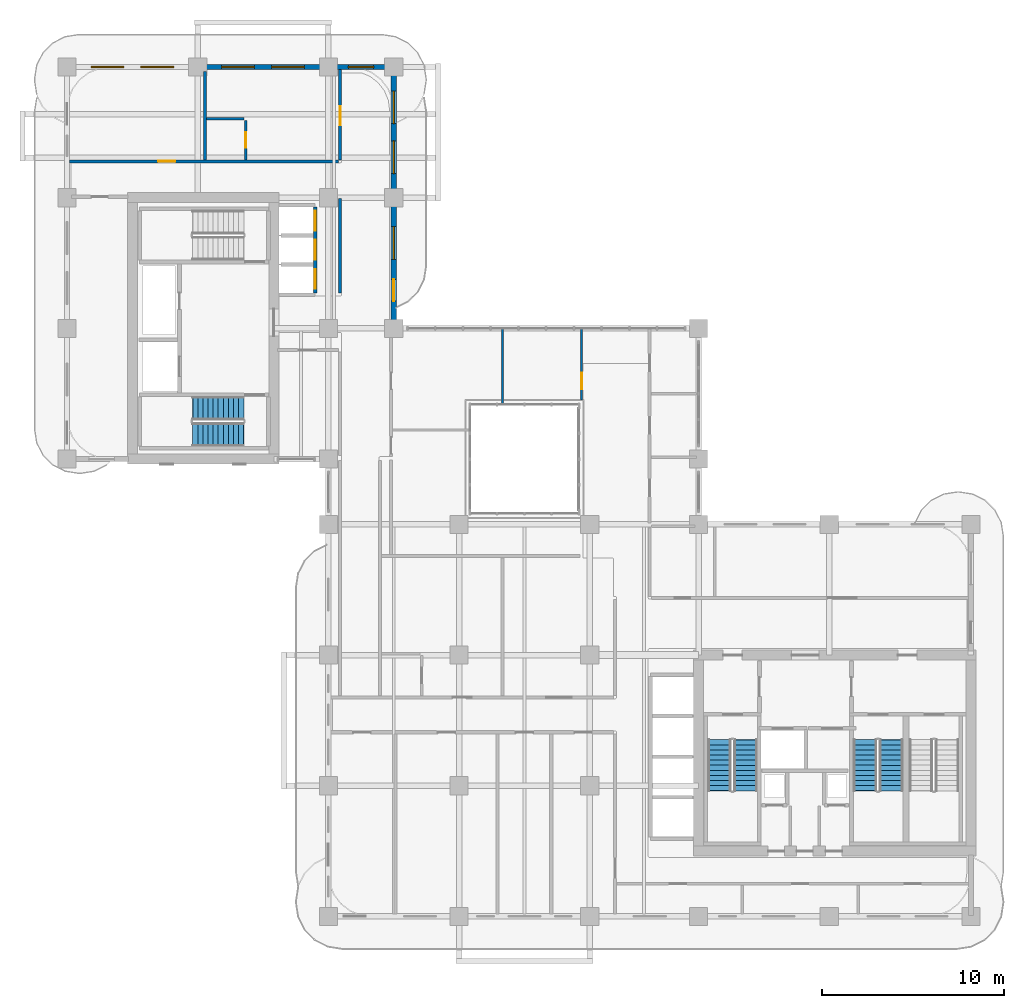
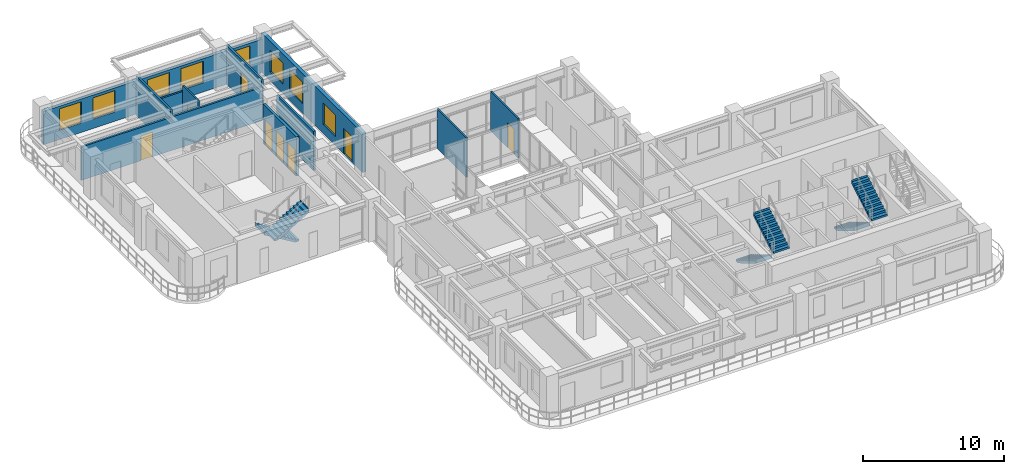
# One storey, part 15 of 21: 11 walls, 8 doors, 8 windows, 6 stair flights, 16 openings, 3 elements without a shape of their own.
"""IFC4 building model written with IfcOpenShell, lengths in metres."""

from ifc_helpers import new_model, si_unit, derived_unit, direction, frame, frame_2d, origin, place, context, subcontext, project, spatial, polyline, rectangle, outline, extrude, source, transform, mapped, material, layer, layer_set, type_object, type_shapes, element, fill, aggregate, save


model = new_model("IFC4")

# Units and contexts
model_context = context("Model", 3, precision=1e-05, world=origin(), true_north=direction((0.0, 1.0)))
body_context = subcontext(model_context, "Body", "Model", "MODEL_VIEW")
ifc_project = project(units=[si_unit("LENGTHUNIT", "METRE"), si_unit("AREAUNIT", "SQUARE_METRE"), si_unit("VOLUMEUNIT", "CUBIC_METRE"), si_unit("PLANEANGLEUNIT", "RADIAN"), si_unit("MASSUNIT", "GRAM", prefix="KILO"), si_unit("THERMODYNAMICTEMPERATUREUNIT", "KELVIN"), si_unit("POWERUNIT", "WATT"), derived_unit("THERMALTRANSMITTANCEUNIT", [(si_unit("POWERUNIT", "WATT"), 1), (si_unit("AREAUNIT", "SQUARE_METRE"), -1), (si_unit("THERMODYNAMICTEMPERATUREUNIT", "KELVIN"), -1)])], contexts=[model_context])

# Site, building, storey
site_placement = place(None, origin())
site = spatial("IfcSite", under=ifc_project, at=site_placement, CompositionType="ELEMENT")
building_placement = place(site_placement, origin())
building = spatial("IfcBuilding", under=site, at=building_placement, Name="Zahravan Archway Hotel and Residences", CompositionType="ELEMENT")
storey_placement = place(building_placement, frame((0.0, 0.0, 141.39990234375)))
storey = spatial("IfcBuildingStorey", under=building, at=storey_placement, Name="L35", CompositionType="ELEMENT", Elevation=141.39990234375)

# Wall, openings, windows
ifc_material_1 = material(Name="Honed Red-Ochre Sandstone & Insulated Block", Category="masonry")
ifc_layer_1 = layer(ifc_material_1, 0.280029296875, Name="Honed Red-Ochre Sandstone & Insulated Block", Category="masonry")
ifc_layer_set_1 = layer_set([ifc_layer_1], Name="Honed Red-Ochre Sandstone & Insulated Block")
wall_type_1 = type_object("IfcWallType", Name="EW-LOG-280", PredefinedType="SOLIDWALL", material=ifc_layer_set_1)
wall_1_placement = place(storey_placement, frame((0.0, 46.800048828125, 0.0), z_axis=(0.0, 0.0, 1.0), x_axis=(1.0, 0.0, 0.0)))
wall_1 = element("IfcWall", 1, at=wall_1_placement, inside=storey, type_object=wall_type_1, Name="L35 Exterior Sandstone Wall WB-N", PredefinedType="SOLIDWALL", context=body_context, shape_type="SweptSolid", body=[
    extrude(rectangle(XDim=18.0, YDim=0.280029296875, at=frame_2d((9.0, 0.0))), origin(), (0.0, 0.0, 1.0), 2.885009765625),
])
opening_1_placement = place(wall_1_placement, frame((1.324951171875, 0.0, 0.800048828125)))
opening_1 = element("IfcOpeningElement", 2, at=opening_1_placement, cuts=wall_1, Name="Opening W-02", PredefinedType="OPENING", context=body_context, shape_type="SweptSolid", body=[
    extrude(rectangle(XDim=1.800048828125, YDim=1.85009765625, at=frame_2d((0.89990234375, 0.925048828125))), frame((0.0, 0.14990234375, 0.0), z_axis=(0.0, -1.0, 0.0), x_axis=(1.0, 0.0, 0.0)), (0.0, 0.0, 1.0), 0.300048828125),
])
opening_2_placement = place(wall_1_placement, frame((4.074951171875, 0.0, 0.800048828125)))
opening_2 = element("IfcOpeningElement", 3, at=opening_2_placement, cuts=wall_1, Name="Opening W-02", PredefinedType="OPENING", context=body_context, shape_type="SweptSolid", body=[
    extrude(rectangle(XDim=1.800048828125, YDim=1.85009765625, at=frame_2d((0.89990234375, 0.925048828125))), frame((0.0, 0.14990234375, 0.0), z_axis=(0.0, -1.0, 0.0), x_axis=(1.0, 0.0, 0.0)), (0.0, 0.0, 1.0), 0.300048828125),
])
opening_3_placement = place(wall_1_placement, frame((8.52490234375, 0.0, 0.800048828125)))
opening_3 = element("IfcOpeningElement", 4, at=opening_3_placement, cuts=wall_1, Name="Opening W-02", PredefinedType="OPENING", context=body_context, shape_type="SweptSolid", body=[
    extrude(rectangle(XDim=1.800048828125, YDim=1.85009765625, at=frame_2d((0.89990234375, 0.925048828125))), frame((0.0, 0.14990234375, 0.0), z_axis=(0.0, -1.0, 0.0), x_axis=(1.0, 0.0, 0.0)), (0.0, 0.0, 1.0), 0.300048828125),
])
opening_4_placement = place(wall_1_placement, frame((11.27490234375, 0.0, 0.800048828125)))
opening_4 = element("IfcOpeningElement", 5, at=opening_4_placement, cuts=wall_1, Name="Opening W-02", PredefinedType="OPENING", context=body_context, shape_type="SweptSolid", body=[
    extrude(rectangle(XDim=1.800048828125, YDim=1.85009765625, at=frame_2d((0.89990234375, 0.925048828125))), frame((0.0, 0.14990234375, 0.0), z_axis=(0.0, -1.0, 0.0), x_axis=(1.0, 0.0, 0.0)), (0.0, 0.0, 1.0), 0.300048828125),
])
opening_5_placement = place(wall_1_placement, frame((15.5, 0.0, 0.800048828125)))
opening_5 = element("IfcOpeningElement", 6, at=opening_5_placement, cuts=wall_1, Name="Opening W-03", PredefinedType="OPENING", context=body_context, shape_type="SweptSolid", body=[
    extrude(rectangle(XDim=1.39990234375, YDim=1.85009765625, at=frame_2d((0.699951171875, 0.925048828125))), frame((0.0, 0.14990234375, 0.0), z_axis=(0.0, -1.0, 0.0), x_axis=(1.0, 0.0, 0.0)), (0.0, 0.0, 1.0), 0.300048828125),
])
ifc_material_2 = material(Name="Bronze-Anodized Thermal-Break Aluminium & Low-E Glass", Category="aluminium")
window_type_1 = type_object("IfcWindowType", Name="WIN-TWR-1400", PartitioningType="SINGLE_PANEL", PredefinedType="WINDOW", material=ifc_material_2)
shared_shape_1 = source(origin(), body_context, "Body", "SweptSolid", [
    extrude(rectangle(XDim=1.39990234375, YDim=1.85009765625, at=frame_2d((0.699951171875, 0.925048828125))), frame((0.0, 0.030029296875, 0.0), z_axis=(0.0, -1.0, 0.0), x_axis=(1.0, 0.0, 0.0)), (0.0, 0.0, 1.0), 0.06005859375),
])
type_shapes(window_type_1, [shared_shape_1])
window_1_placement = place(opening_5_placement, origin())
window_1 = element("IfcWindow", 7, at=window_1_placement, inside=storey, type_object=window_type_1, Name="L35 Loggia Window 30", OverallHeight=1.85009765625, OverallWidth=1.39990234375, PartitioningType="SINGLE_PANEL", PredefinedType="WINDOW", context=body_context, shape_type="MappedRepresentation", body=[
    mapped(shared_shape_1, transform((0.0, 0.0, 0.0), scale=1.0)),
])
fill(opening_5, window_1)
window_type_2 = type_object("IfcWindowType", Name="WIN-TWR-1800", PartitioningType="DOUBLE_PANEL_VERTICAL", PredefinedType="WINDOW", material=ifc_material_2)
shared_shape_2 = source(origin(), body_context, "Body", "SweptSolid", [
    extrude(rectangle(XDim=1.800048828125, YDim=1.85009765625, at=frame_2d((0.89990234375, 0.925048828125))), frame((0.0, 0.030029296875, 0.0), z_axis=(0.0, -1.0, 0.0), x_axis=(1.0, 0.0, 0.0)), (0.0, 0.0, 1.0), 0.06005859375),
])
type_shapes(window_type_2, [shared_shape_2])
window_2_placement = place(opening_1_placement, origin())
window_2 = element("IfcWindow", 8, at=window_2_placement, inside=storey, type_object=window_type_2, Name="L35 Loggia Window 26", OverallHeight=1.85009765625, OverallWidth=1.800048828125, PartitioningType="DOUBLE_PANEL_VERTICAL", PredefinedType="WINDOW", context=body_context, shape_type="MappedRepresentation", body=[
    mapped(shared_shape_2, transform((0.0, 0.0, 0.0), scale=1.0)),
])
fill(opening_1, window_2)
window_3_placement = place(opening_2_placement, origin())
window_3 = element("IfcWindow", 9, at=window_3_placement, inside=storey, type_object=window_type_2, Name="L35 Loggia Window 27", OverallHeight=1.85009765625, OverallWidth=1.800048828125, PartitioningType="DOUBLE_PANEL_VERTICAL", PredefinedType="WINDOW", context=body_context, shape_type="MappedRepresentation", body=[
    mapped(shared_shape_2, transform((0.0, 0.0, 0.0), scale=1.0)),
])
fill(opening_2, window_3)
window_4_placement = place(opening_3_placement, origin())
window_4 = element("IfcWindow", 10, at=window_4_placement, inside=storey, type_object=window_type_2, Name="L35 Loggia Window 28", OverallHeight=1.85009765625, OverallWidth=1.800048828125, PartitioningType="DOUBLE_PANEL_VERTICAL", PredefinedType="WINDOW", context=body_context, shape_type="MappedRepresentation", body=[
    mapped(shared_shape_2, transform((0.0, 0.0, 0.0), scale=1.0)),
])
fill(opening_3, window_4)
window_5_placement = place(opening_4_placement, origin())
window_5 = element("IfcWindow", 11, at=window_5_placement, inside=storey, type_object=window_type_2, Name="L35 Loggia Window 29", OverallHeight=1.85009765625, OverallWidth=1.800048828125, PartitioningType="DOUBLE_PANEL_VERTICAL", PredefinedType="WINDOW", context=body_context, shape_type="MappedRepresentation", body=[
    mapped(shared_shape_2, transform((0.0, 0.0, 0.0), scale=1.0)),
])
fill(opening_4, window_5)

# Wall, openings, door, windows
wall_2_placement = place(storey_placement, frame((18.0, 32.39990234375, 0.0), z_axis=(0.0, 0.0, 1.0), x_axis=(0.0, 1.0, 0.0)))
wall_2 = element("IfcWall", 12, at=wall_2_placement, inside=storey, type_object=wall_type_1, Name="L35 Exterior Sandstone Wall WB-EU", PredefinedType="SOLIDWALL", context=body_context, shape_type="SweptSolid", body=[
    extrude(rectangle(XDim=14.35009765625, YDim=0.280029296875, at=frame_2d((7.175048828125, 0.0))), origin(), (0.0, 0.0, 1.0), 3.400146484375),
])
opening_6_placement = place(wall_2_placement, frame((1.5, 0.0, 0.0)))
opening_6 = element("IfcOpeningElement", 13, at=opening_6_placement, cuts=wall_2, Name="Opening ED-BL1", PredefinedType="OPENING", context=body_context, shape_type="SweptSolid", body=[
    extrude(rectangle(XDim=1.199951171875, YDim=2.199951171875, at=frame_2d((0.60009765625, 1.10009765625))), frame((0.0, 0.14990234375, 0.0), z_axis=(0.0, -1.0, 0.0), x_axis=(1.0, 0.0, 0.0)), (0.0, 0.0, 1.0), 0.300048828125),
])
opening_7_placement = place(wall_2_placement, frame((3.800048828125, 0.0, 0.800048828125)))
opening_7 = element("IfcOpeningElement", 14, at=opening_7_placement, cuts=wall_2, Name="Opening W-02", PredefinedType="OPENING", context=body_context, shape_type="SweptSolid", body=[
    extrude(rectangle(XDim=1.800048828125, YDim=1.85009765625, at=frame_2d((0.89990234375, 0.925048828125))), frame((0.0, 0.14990234375, 0.0), z_axis=(0.0, -1.0, 0.0), x_axis=(1.0, 0.0, 0.0)), (0.0, 0.0, 1.0), 0.300048828125),
])
opening_8_placement = place(wall_2_placement, frame((8.52490234375, 0.0, 0.800048828125)))
opening_8 = element("IfcOpeningElement", 15, at=opening_8_placement, cuts=wall_2, Name="Opening W-02", PredefinedType="OPENING", context=body_context, shape_type="SweptSolid", body=[
    extrude(rectangle(XDim=1.800048828125, YDim=1.85009765625, at=frame_2d((0.89990234375, 0.925048828125))), frame((0.0, 0.14990234375, 0.0), z_axis=(0.0, -1.0, 0.0), x_axis=(1.0, 0.0, 0.0)), (0.0, 0.0, 1.0), 0.300048828125),
])
opening_9_placement = place(wall_2_placement, frame((11.27490234375, 0.0, 0.800048828125)))
opening_9 = element("IfcOpeningElement", 16, at=opening_9_placement, cuts=wall_2, Name="Opening W-02", PredefinedType="OPENING", context=body_context, shape_type="SweptSolid", body=[
    extrude(rectangle(XDim=1.800048828125, YDim=1.85009765625, at=frame_2d((0.89990234375, 0.925048828125))), frame((0.0, 0.14990234375, 0.0), z_axis=(0.0, -1.0, 0.0), x_axis=(1.0, 0.0, 0.0)), (0.0, 0.0, 1.0), 0.300048828125),
])
ifc_material_3 = material(Name="Bronze-Anodized Glazed Aluminium", Category="aluminium")
door_type_1 = type_object("IfcDoorType", Name="ED-BALC-1200", OperationType="SLIDING_TO_LEFT", PredefinedType="DOOR", material=ifc_material_3)
shared_shape_3 = source(origin(), body_context, "Body", "SweptSolid", [
    extrude(rectangle(XDim=1.199951171875, YDim=2.199951171875, at=frame_2d((0.60009765625, 1.10009765625))), frame((0.0, 0.02490234375, 0.0), z_axis=(0.0, -1.0, 0.0), x_axis=(1.0, 0.0, 0.0)), (0.0, 0.0, 1.0), 0.050048828125),
])
type_shapes(door_type_1, [shared_shape_3])
door_1_placement = place(opening_6_placement, origin())
door_1 = element("IfcDoor", 17, at=door_1_placement, inside=storey, type_object=door_type_1, Name="L35 Outdoor Access Sliding Door (SLB-BAL-L35-EB)", OperationType="SLIDING_TO_LEFT", OverallHeight=2.199951171875, OverallWidth=1.199951171875, PredefinedType="DOOR", context=body_context, shape_type="MappedRepresentation", body=[
    mapped(shared_shape_3, transform((0.0, 0.0, 0.0), scale=1.0)),
])
fill(opening_6, door_1)
window_6_placement = place(opening_7_placement, origin())
window_6 = element("IfcWindow", 18, at=window_6_placement, inside=storey, type_object=window_type_2, Name="L35 Loggia Window 31", OverallHeight=1.85009765625, OverallWidth=1.800048828125, PartitioningType="DOUBLE_PANEL_VERTICAL", PredefinedType="WINDOW", context=body_context, shape_type="MappedRepresentation", body=[
    mapped(shared_shape_2, transform((0.0, 0.0, 0.0), scale=1.0)),
])
fill(opening_7, window_6)
window_7_placement = place(opening_8_placement, origin())
window_7 = element("IfcWindow", 19, at=window_7_placement, inside=storey, type_object=window_type_2, Name="L35 Loggia Window 32", OverallHeight=1.85009765625, OverallWidth=1.800048828125, PartitioningType="DOUBLE_PANEL_VERTICAL", PredefinedType="WINDOW", context=body_context, shape_type="MappedRepresentation", body=[
    mapped(shared_shape_2, transform((0.0, 0.0, 0.0), scale=1.0)),
])
fill(opening_8, window_7)
window_8_placement = place(opening_9_placement, origin())
window_8 = element("IfcWindow", 20, at=window_8_placement, inside=storey, type_object=window_type_2, Name="L35 Loggia Window 33", OverallHeight=1.85009765625, OverallWidth=1.800048828125, PartitioningType="DOUBLE_PANEL_VERTICAL", PredefinedType="WINDOW", context=body_context, shape_type="MappedRepresentation", body=[
    mapped(shared_shape_2, transform((0.0, 0.0, 0.0), scale=1.0)),
])
fill(opening_9, window_8)

# Wall
ifc_material_4 = material(Name="Fire-Rated Gypsum & Concrete Block", Category="concrete")
ifc_layer_2 = layer(ifc_material_4, 0.159912109375, Name="Fire-Rated Gypsum & Concrete Block", Category="concrete")
ifc_layer_set_2 = layer_set([ifc_layer_2], Name="Fire-Rated Gypsum & Concrete Block")
wall_type_2 = type_object("IfcWallType", Name="PW-CORR-160", PredefinedType="PARTITIONING", material=ifc_layer_set_2)
wall_3_placement = place(storey_placement, frame((15.050048828125, 34.340087890625, 0.0), z_axis=(0.0, 0.0, 1.0), x_axis=(0.0, 1.0, 0.0)))
element("IfcWall", 21, at=wall_3_placement, inside=storey, type_object=wall_type_2, Name="L35 Partition WBN-CL", PredefinedType="PARTITIONING", context=body_context, shape_type="SweptSolid", body=[
    extrude(rectangle(XDim=5.219970703125, YDim=0.159912109375, at=frame_2d((2.60986328125, 0.0))), origin(), (0.0, 0.0, 1.0), 3.400146484375),
])

# Wall, opening, door
wall_4_placement = place(storey_placement, frame((15.050048828125, 41.68994140625, 0.0), z_axis=(0.0, 0.0, 1.0), x_axis=(0.0, 1.0, 0.0)))
wall_4 = element("IfcWall", 22, at=wall_4_placement, inside=storey, type_object=wall_type_2, Name="L35 Partition WBN-CU", PredefinedType="PARTITIONING", context=body_context, shape_type="SweptSolid", body=[
    extrude(rectangle(XDim=4.962158203125, YDim=0.159912109375, at=frame_2d((2.48095703125, 0.0))), origin(), (0.0, 0.0, 1.0), 3.400146484375),
])
opening_10_placement = place(wall_4_placement, frame((1.909912109375, 0.0, 0.0)))
opening_10 = element("IfcOpeningElement", 23, at=opening_10_placement, cuts=wall_4, Name="Opening D-U1", PredefinedType="OPENING", context=body_context, shape_type="SweptSolid", body=[
    extrude(rectangle(XDim=1.050048828125, YDim=2.25, at=frame_2d((0.52490234375, 1.125))), frame((0.0, 0.08984375, 0.0), z_axis=(0.0, -1.0, 0.0), x_axis=(1.0, 0.0, 0.0)), (0.0, 0.0, 1.0), 0.179931640625),
])
ifc_material_5 = material(Name="Hardwood Veneer Timber", Category="wood")
door_type_2 = type_object("IfcDoorType", Name="ID-UNIT-1050", OperationType="NOTDEFINED", PredefinedType="DOOR", material=ifc_material_5)
shared_shape_4 = source(origin(), body_context, "Body", "SweptSolid", [
    extrude(rectangle(XDim=1.050048828125, YDim=2.25, at=frame_2d((0.52490234375, 1.125))), frame((0.0, 0.02490234375, 0.0), z_axis=(0.0, -1.0, 0.0), x_axis=(1.0, 0.0, 0.0)), (0.0, 0.0, 1.0), 0.050048828125),
])
type_shapes(door_type_2, [shared_shape_4])
door_2_placement = place(opening_10_placement, origin())
door_2 = element("IfcDoor", 24, at=door_2_placement, inside=storey, type_object=door_type_2, Name="L35 Hotel Guestroom 78 Entrance Door", OperationType="SINGLE_SWING_LEFT", OverallHeight=2.25, OverallWidth=1.050048828125, PredefinedType="DOOR", context=body_context, shape_type="MappedRepresentation", body=[
    mapped(shared_shape_4, transform((0.0, 0.0, 0.0), scale=1.0)),
])
fill(opening_10, door_2)

wall_5_placement = place(storey_placement, frame((0.14794921875, 41.60009765625, 0.0), z_axis=(0.0, 0.0, 1.0), x_axis=(1.0, 0.0, 0.0)))
wall_5 = element("IfcWall", 25, at=wall_5_placement, inside=storey, type_object=wall_type_2, Name="L35 Partition WBN-S2", PredefinedType="PARTITIONING", context=body_context, shape_type="SweptSolid", body=[
    extrude(rectangle(XDim=14.81201171875, YDim=0.159912109375, at=frame_2d((7.406005859375, 0.0))), origin(), (0.0, 0.0, 1.0), 2.885009765625),
])
opening_11_placement = place(wall_5_placement, frame((4.876953125, 0.0, 0.0)))
opening_11 = element("IfcOpeningElement", 26, at=opening_11_placement, cuts=wall_5, Name="Opening D-I1", PredefinedType="OPENING", context=body_context, shape_type="SweptSolid", body=[
    extrude(rectangle(XDim=0.949951171875, YDim=2.14990234375, at=frame_2d((0.47509765625, 1.074951171875))), frame((0.0, 0.08984375, 0.0), z_axis=(0.0, -1.0, 0.0), x_axis=(1.0, 0.0, 0.0)), (0.0, 0.0, 1.0), 0.179931640625),
])
door_type_3 = type_object("IfcDoorType", Name="ID-INT-950", OperationType="NOTDEFINED", PredefinedType="DOOR", material=ifc_material_5)
shared_shape_5 = source(origin(), body_context, "Body", "SweptSolid", [
    extrude(rectangle(XDim=0.949951171875, YDim=2.14990234375, at=frame_2d((0.47509765625, 1.074951171875))), frame((0.0, 0.02490234375, 0.0), z_axis=(0.0, -1.0, 0.0), x_axis=(1.0, 0.0, 0.0)), (0.0, 0.0, 1.0), 0.050048828125),
])
type_shapes(door_type_3, [shared_shape_5])
door_3_placement = place(opening_11_placement, origin())
door_3 = element("IfcDoor", 27, at=door_3_placement, inside=storey, type_object=door_type_3, Name="L35 North West Study Door", OperationType="SINGLE_SWING_LEFT", OverallHeight=2.14990234375, OverallWidth=0.949951171875, PredefinedType="DOOR", context=body_context, shape_type="MappedRepresentation", body=[
    mapped(shared_shape_5, transform((0.0, 0.0, 0.0), scale=1.0)),
])
fill(opening_11, door_3)

# Wall
ifc_material_6 = material(Name="Acoustic Stud Partition")
ifc_layer_3 = layer(ifc_material_6, 0.125, Name="Acoustic Stud Partition")
ifc_layer_set_3 = layer_set([ifc_layer_3], Name="Acoustic Stud Partition")
wall_type_3 = type_object("IfcWallType", Name="PW-INT-125", PredefinedType="PARTITIONING", material=ifc_layer_set_3)
wall_6_placement = place(storey_placement, frame((24.0, 28.22802734375, 0.0), z_axis=(0.0, 0.0, 1.0), x_axis=(0.0, 1.0, 0.0)))
element("IfcWall", 28, at=wall_6_placement, inside=storey, type_object=wall_type_3, Name="L35 Partition ATR-NW3B", PredefinedType="PARTITIONING", context=body_context, shape_type="SweptSolid", body=[
    extrude(rectangle(XDim=4.14404296875, YDim=0.125, at=frame_2d((2.072021484375, 0.0))), origin(), (0.0, 0.0, 1.0), 3.400146484375),
])

# Wall, opening, door
wall_7_placement = place(storey_placement, frame((28.35009765625, 28.43994140625, 0.0), z_axis=(0.0, 0.0, 1.0), x_axis=(0.0, 1.0, 0.0)))
wall_7 = element("IfcWall", 29, at=wall_7_placement, inside=storey, type_object=wall_type_3, Name="L35 Partition ATR-NWE", PredefinedType="PARTITIONING", context=body_context, shape_type="SweptSolid", body=[
    extrude(rectangle(XDim=3.93212890625, YDim=0.125, at=frame_2d((1.966064453125, 0.0))), origin(), (0.0, 0.0, 1.0), 3.400146484375),
])
opening_12_placement = place(wall_7_placement, frame((0.610107421875, 0.0, 0.0)))
opening_12 = element("IfcOpeningElement", 30, at=opening_12_placement, cuts=wall_7, Name="Opening D-I2", PredefinedType="OPENING", context=body_context, shape_type="SweptSolid", body=[
    extrude(rectangle(XDim=0.89990234375, YDim=2.14990234375, at=frame_2d((0.449951171875, 1.074951171875))), frame((0.0, 0.072509765625, 0.0), z_axis=(0.0, -1.0, 0.0), x_axis=(1.0, 0.0, 0.0)), (0.0, 0.0, 1.0), 0.14501953125),
])
door_type_4 = type_object("IfcDoorType", Name="ID-INT-900", OperationType="NOTDEFINED", PredefinedType="DOOR", material=ifc_material_5)
shared_shape_6 = source(origin(), body_context, "Body", "SweptSolid", [
    extrude(rectangle(XDim=0.89990234375, YDim=2.14990234375, at=frame_2d((0.449951171875, 1.074951171875))), frame((0.0, 0.02490234375, 0.0), z_axis=(0.0, -1.0, 0.0), x_axis=(1.0, 0.0, 0.0)), (0.0, 0.0, 1.0), 0.050048828125),
])
type_shapes(door_type_4, [shared_shape_6])
door_4_placement = place(opening_12_placement, origin())
door_4 = element("IfcDoor", 31, at=door_4_placement, inside=storey, type_object=door_type_4, Name="L35 Atrium NE Study Door", OperationType="SINGLE_SWING_LEFT", OverallHeight=2.14990234375, OverallWidth=0.89990234375, PredefinedType="DOOR", context=body_context, shape_type="MappedRepresentation", body=[
    mapped(shared_shape_6, transform((0.0, 0.0, 0.0), scale=1.0)),
])
fill(opening_12, door_4)

# Wall, openings, doors
ifc_layer_4 = layer(ifc_material_4, 0.199951171875, Name="Fire-Rated Gypsum & Concrete Block", Category="concrete")
ifc_layer_set_4 = layer_set([ifc_layer_4], Name="Fire-Rated Gypsum & Concrete Block")
wall_type_4 = type_object("IfcWallType", Name="PW-SHAFT-200", PredefinedType="PARTITIONING", material=ifc_layer_set_4)
wall_8_placement = place(storey_placement, frame((13.679931640625, 34.360107421875, 0.0), z_axis=(0.0, 0.0, 1.0), x_axis=(0.0, 1.0, 0.0)))
wall_8 = element("IfcWall", 32, at=wall_8_placement, inside=storey, type_object=wall_type_4, Name="L35 Partition B2-E", PredefinedType="PARTITIONING", context=body_context, shape_type="SweptSolid", body=[
    extrude(rectangle(XDim=4.719970703125, YDim=0.199951171875, at=frame_2d((2.35986328125, 0.0))), origin(), (0.0, 0.0, 1.0), 3.400146484375),
])
opening_13_placement = place(wall_8_placement, frame((0.2099609375, 0.0, 0.0)))
opening_13 = element("IfcOpeningElement", 33, at=opening_13_placement, cuts=wall_8, Name="Opening LD", PredefinedType="OPENING", context=body_context, shape_type="SweptSolid", body=[
    extrude(rectangle(XDim=1.10009765625, YDim=2.199951171875, at=frame_2d((0.550048828125, 1.10009765625))), frame((0.0, 0.10986328125, 0.0), z_axis=(0.0, -1.0, 0.0), x_axis=(1.0, 0.0, 0.0)), (0.0, 0.0, 1.0), 0.219970703125),
])
opening_14_placement = place(wall_8_placement, frame((1.81005859375, 0.0, 0.0)))
opening_14 = element("IfcOpeningElement", 34, at=opening_14_placement, cuts=wall_8, Name="Opening LD", PredefinedType="OPENING", context=body_context, shape_type="SweptSolid", body=[
    extrude(rectangle(XDim=1.10009765625, YDim=2.199951171875, at=frame_2d((0.550048828125, 1.10009765625))), frame((0.0, 0.10986328125, 0.0), z_axis=(0.0, -1.0, 0.0), x_axis=(1.0, 0.0, 0.0)), (0.0, 0.0, 1.0), 0.219970703125),
])
opening_15_placement = place(wall_8_placement, frame((3.409912109375, 0.0, 0.0)))
opening_15 = element("IfcOpeningElement", 35, at=opening_15_placement, cuts=wall_8, Name="Opening LD", PredefinedType="OPENING", context=body_context, shape_type="SweptSolid", body=[
    extrude(rectangle(XDim=1.10009765625, YDim=2.199951171875, at=frame_2d((0.550048828125, 1.10009765625))), frame((0.0, 0.10986328125, 0.0), z_axis=(0.0, -1.0, 0.0), x_axis=(1.0, 0.0, 0.0)), (0.0, 0.0, 1.0), 0.219970703125),
])
ifc_material_7 = material(Name="Brushed Stainless Steel", Category="steel")
door_type_5 = type_object("IfcDoorType", Name="DR-LIFT-LD", OperationType="SLIDING_TO_LEFT", PredefinedType="DOOR", material=ifc_material_7)
shared_shape_7 = source(origin(), body_context, "Body", "SweptSolid", [
    extrude(rectangle(XDim=1.10009765625, YDim=2.199951171875, at=frame_2d((0.550048828125, 1.10009765625))), frame((0.0, 0.02490234375, 0.0), z_axis=(0.0, -1.0, 0.0), x_axis=(1.0, 0.0, 0.0)), (0.0, 0.0, 1.0), 0.050048828125),
])
type_shapes(door_type_5, [shared_shape_7])
door_5_placement = place(opening_13_placement, origin())
door_5 = element("IfcDoor", 36, at=door_5_placement, inside=storey, type_object=door_type_5, Name="L35 Lift LP-4 Sliding Landing Door", OperationType="SLIDING_TO_LEFT", OverallHeight=2.199951171875, OverallWidth=1.10009765625, PredefinedType="DOOR", context=body_context, shape_type="MappedRepresentation", body=[
    mapped(shared_shape_7, transform((0.0, 0.0, 0.0), scale=1.0)),
])
fill(opening_13, door_5)
door_6_placement = place(opening_14_placement, origin())
door_6 = element("IfcDoor", 37, at=door_6_placement, inside=storey, type_object=door_type_5, Name="L35 Lift LP-5 Sliding Landing Door", OperationType="SLIDING_TO_LEFT", OverallHeight=2.199951171875, OverallWidth=1.10009765625, PredefinedType="DOOR", context=body_context, shape_type="MappedRepresentation", body=[
    mapped(shared_shape_7, transform((0.0, 0.0, 0.0), scale=1.0)),
])
fill(opening_14, door_6)
door_7_placement = place(opening_15_placement, origin())
door_7 = element("IfcDoor", 38, at=door_7_placement, inside=storey, type_object=door_type_5, Name="L35 Lift LP-6 Sliding Landing Door", OperationType="SLIDING_TO_LEFT", OverallHeight=2.199951171875, OverallWidth=1.10009765625, PredefinedType="DOOR", context=body_context, shape_type="MappedRepresentation", body=[
    mapped(shared_shape_7, transform((0.0, 0.0, 0.0), scale=1.0)),
])
fill(opening_15, door_7)

# Walls
ifc_layer_5 = layer(ifc_material_6, 0.169921875, Name="Acoustic Stud Partition")
ifc_layer_set_5 = layer_set([ifc_layer_5], Name="Acoustic Stud Partition")
wall_type_5 = type_object("IfcWallType", Name="PW-UNIT-170", PredefinedType="PARTITIONING", material=ifc_layer_set_5)
wall_9_placement = place(storey_placement, frame((7.60009765625, 41.68994140625, 0.0), z_axis=(0.0, 0.0, 1.0), x_axis=(0.0, 1.0, 0.0)))
element("IfcWall", 39, at=wall_9_placement, inside=storey, type_object=wall_type_5, Name="L35 Partition WBN-V2", PredefinedType="PARTITIONING", context=body_context, shape_type="SweptSolid", body=[
    extrude(rectangle(XDim=4.8701171875, YDim=0.169921875, at=frame_2d((2.43505859375, 0.0))), origin(), (0.0, 0.0, 1.0), 3.400146484375),
])
ifc_material_8 = material(Name="Moisture-Resistant Blockwork", Category="masonry")
ifc_layer_6 = layer(ifc_material_8, 0.139892578125, Name="Moisture-Resistant Blockwork", Category="masonry")
ifc_layer_set_6 = layer_set([ifc_layer_6], Name="Moisture-Resistant Blockwork")
wall_type_6 = type_object("IfcWallType", Name="PW-WET-140", PredefinedType="PARTITIONING", material=ifc_layer_set_6)
wall_10_placement = place(storey_placement, frame((7.68994140625, 43.949951171875, 0.0), z_axis=(0.0, 0.0, 1.0), x_axis=(1.0, 0.0, 0.0)))
element("IfcWall", 40, at=wall_10_placement, inside=storey, type_object=wall_type_6, Name="L35 Partition HKB-H78", PredefinedType="PARTITIONING", context=body_context, shape_type="SweptSolid", body=[
    extrude(rectangle(XDim=2.070068359375, YDim=0.139892578125, at=frame_2d((1.03515625, 0.0))), origin(), (0.0, 0.0, 1.0), 2.885009765625),
])

# Wall, opening, door
wall_11_placement = place(storey_placement, frame((9.85009765625, 41.68994140625, 0.0), z_axis=(0.0, 0.0, 1.0), x_axis=(0.0, 1.0, 0.0)))
wall_11 = element("IfcWall", 41, at=wall_11_placement, inside=storey, type_object=wall_type_6, Name="L35 Partition HKB-V78", PredefinedType="PARTITIONING", context=body_context, shape_type="SweptSolid", body=[
    extrude(rectangle(XDim=2.170166015625, YDim=0.139892578125, at=frame_2d((1.0849609375, 0.0))), origin(), (0.0, 0.0, 1.0), 3.400146484375),
])
opening_16_placement = place(wall_11_placement, frame((0.659912109375, 0.0, 0.0)))
opening_16 = element("IfcOpeningElement", 42, at=opening_16_placement, cuts=wall_11, Name="Opening D-B1", PredefinedType="OPENING", context=body_context, shape_type="SweptSolid", body=[
    extrude(rectangle(XDim=0.85009765625, YDim=2.10009765625, at=frame_2d((0.425048828125, 1.050048828125))), frame((0.0, 0.080078125, 0.0), z_axis=(0.0, -1.0, 0.0), x_axis=(1.0, 0.0, 0.0)), (0.0, 0.0, 1.0), 0.159912109375),
])
door_type_6 = type_object("IfcDoorType", Name="ID-BATH-850", OperationType="NOTDEFINED", PredefinedType="DOOR", material=ifc_material_5)
shared_shape_8 = source(origin(), body_context, "Body", "SweptSolid", [
    extrude(rectangle(XDim=0.85009765625, YDim=2.10009765625, at=frame_2d((0.425048828125, 1.050048828125))), frame((0.0, 0.02490234375, 0.0), z_axis=(0.0, -1.0, 0.0), x_axis=(1.0, 0.0, 0.0)), (0.0, 0.0, 1.0), 0.050048828125),
])
type_shapes(door_type_6, [shared_shape_8])
door_8_placement = place(opening_16_placement, origin())
door_8 = element("IfcDoor", 43, at=door_8_placement, inside=storey, type_object=door_type_6, Name="L35 Guestroom 78 En-Suite Door", OperationType="SINGLE_SWING_RIGHT", OverallHeight=2.10009765625, OverallWidth=0.85009765625, PredefinedType="DOOR", context=body_context, shape_type="MappedRepresentation", body=[
    mapped(shared_shape_8, transform((0.0, 0.0, 0.0), scale=1.0)),
])
fill(opening_16, door_8)

# Stair, stair flights
ifc_material_9 = material(Name="Concrete C50/60", Category="concrete")
stair_type = type_object("IfcStairType", Name="STR-CORE-1300", PredefinedType="HALF_TURN_STAIR", material=ifc_material_9)
stair_1_placement = place(storey_placement, origin())
stair_1 = element("IfcStair", 44, at=stair_1_placement, inside=storey, type_object=stair_type, Name="L35 Core A Exit Stair 1", PredefinedType="HALF_TURN_STAIR")
ifc_layer_7 = layer(ifc_material_9, 0.199951171875, Name="Concrete C50/60", Category="concrete")
ifc_layer_set_7 = layer_set([ifc_layer_7], Name="Concrete C50/60")
stair_flight_type = type_object("IfcStairFlightType", Name="SFL-CORE-1300", PredefinedType="STRAIGHT", material=ifc_layer_set_7)
shared_shape_9 = source(origin(), body_context, "Body", "SweptSolid", [
    extrude(outline(polyline([(-0.01611328125, 0.0), (-0.01611328125, 0.168212890625), (0.280029296875, 0.168212890625), (0.280029296875, 0.33642578125), (0.56005859375, 0.33642578125), (0.56005859375, 0.504638671875), (0.840087890625, 0.504638671875), (0.840087890625, 0.672607421875), (1.1201171875, 0.672607421875), (1.1201171875, 0.8408203125), (1.39990234375, 0.8408203125), (1.39990234375, 1.009033203125), (1.679931640625, 1.009033203125), (1.679931640625, 1.17724609375), (1.9599609375, 1.17724609375), (1.9599609375, 1.345458984375), (2.239990234375, 1.345458984375), (2.239990234375, 1.513671875), (2.52001953125, 1.513671875), (2.52001953125, 1.681884765625), (2.800048828125, 1.681884765625), (2.800048828125, 1.85009765625), (2.816162109375, 1.85009765625), (2.816162109375, 1.5068359375), (0.291015625, 0.0), (-0.01611328125, 0.0)])), frame((0.0, 0.64990234375, 0.0), z_axis=(0.0, -1.0, 0.0), x_axis=(1.0, 0.0, 0.0)), (0.0, 0.0, 1.0), 1.300048828125),
])
stair_flight_1_placement = place(storey_placement, frame((35.949951171875, 9.72998046875, 0.0), z_axis=(0.0, 0.0, 1.0), x_axis=(0.0, -1.0, 0.0)))
stair_flight_1 = element("IfcStairFlight", 45, at=stair_flight_1_placement, type_object=stair_flight_type, Name="ST-A1 flight 1", NumberOfRisers=11, NumberOfTreads=10, PredefinedType="STRAIGHT", RiserHeight=0.168181818, TreadLength=0.28, context=body_context, shape_type="MappedRepresentation", body=[
    mapped(shared_shape_9, transform((0.0, 0.0, 0.0), scale=1.0)),
])
stair_flight_2_placement = place(storey_placement, frame((37.389892578125, 6.929931640625, 1.85009765625), z_axis=(0.0, 0.0, 1.0), x_axis=(0.0, 1.0, 0.0)))
stair_flight_2 = element("IfcStairFlight", 46, at=stair_flight_2_placement, type_object=stair_flight_type, Name="ST-A1 flight 2", NumberOfRisers=11, NumberOfTreads=10, PredefinedType="STRAIGHT", RiserHeight=0.168181818, TreadLength=0.28, context=body_context, shape_type="MappedRepresentation", body=[
    mapped(shared_shape_9, transform((0.0, 0.0, 0.0), scale=1.0)),
])
aggregate(stair_1, [stair_flight_1, stair_flight_2])

stair_2_placement = place(storey_placement, origin())
stair_2 = element("IfcStair", 47, at=stair_2_placement, inside=storey, type_object=stair_type, Name="L35 Core A Exit Stair 2", PredefinedType="HALF_TURN_STAIR")
stair_flight_3_placement = place(storey_placement, frame((43.969970703125, 9.72998046875, 0.0), z_axis=(0.0, 0.0, 1.0), x_axis=(0.0, -1.0, 0.0)))
stair_flight_3 = element("IfcStairFlight", 48, at=stair_flight_3_placement, type_object=stair_flight_type, Name="ST-A2 flight 1", NumberOfRisers=11, NumberOfTreads=10, PredefinedType="STRAIGHT", RiserHeight=0.168181818, TreadLength=0.28, context=body_context, shape_type="MappedRepresentation", body=[
    mapped(shared_shape_9, transform((0.0, 0.0, 0.0), scale=1.0)),
])
stair_flight_4_placement = place(storey_placement, frame((45.409912109375, 6.929931640625, 1.85009765625), z_axis=(0.0, 0.0, 1.0), x_axis=(0.0, 1.0, 0.0)))
stair_flight_4 = element("IfcStairFlight", 49, at=stair_flight_4_placement, type_object=stair_flight_type, Name="ST-A2 flight 2", NumberOfRisers=11, NumberOfTreads=10, PredefinedType="STRAIGHT", RiserHeight=0.168181818, TreadLength=0.28, context=body_context, shape_type="MappedRepresentation", body=[
    mapped(shared_shape_9, transform((0.0, 0.0, 0.0), scale=1.0)),
])
aggregate(stair_2, [stair_flight_3, stair_flight_4])

stair_3_placement = place(storey_placement, origin())
stair_3 = element("IfcStair", 50, at=stair_3_placement, inside=storey, type_object=stair_type, Name="L35 Core B Exit Stair 1", PredefinedType="HALF_TURN_STAIR")
stair_flight_5_placement = place(storey_placement, frame((9.72998046875, 27.989990234375, 0.0), z_axis=(0.0, 0.0, 1.0), x_axis=(-1.0, 0.0, 0.0)))
stair_flight_5 = element("IfcStairFlight", 51, at=stair_flight_5_placement, type_object=stair_flight_type, Name="ST-B1 flight 1", NumberOfRisers=11, NumberOfTreads=10, PredefinedType="STRAIGHT", RiserHeight=0.168181818, TreadLength=0.28, context=body_context, shape_type="MappedRepresentation", body=[
    mapped(shared_shape_9, transform((0.0, 0.0, 0.0), scale=1.0)),
])
stair_flight_6_placement = place(storey_placement, frame((6.929931640625, 26.550048828125, 1.85009765625), z_axis=(0.0, 0.0, 1.0), x_axis=(1.0, 0.0, 0.0)))
stair_flight_6 = element("IfcStairFlight", 52, at=stair_flight_6_placement, type_object=stair_flight_type, Name="ST-B1 flight 2", NumberOfRisers=11, NumberOfTreads=10, PredefinedType="STRAIGHT", RiserHeight=0.168181818, TreadLength=0.28, context=body_context, shape_type="MappedRepresentation", body=[
    mapped(shared_shape_9, transform((0.0, 0.0, 0.0), scale=1.0)),
])
aggregate(stair_3, [stair_flight_5, stair_flight_6])

save(model, "model.ifc")
